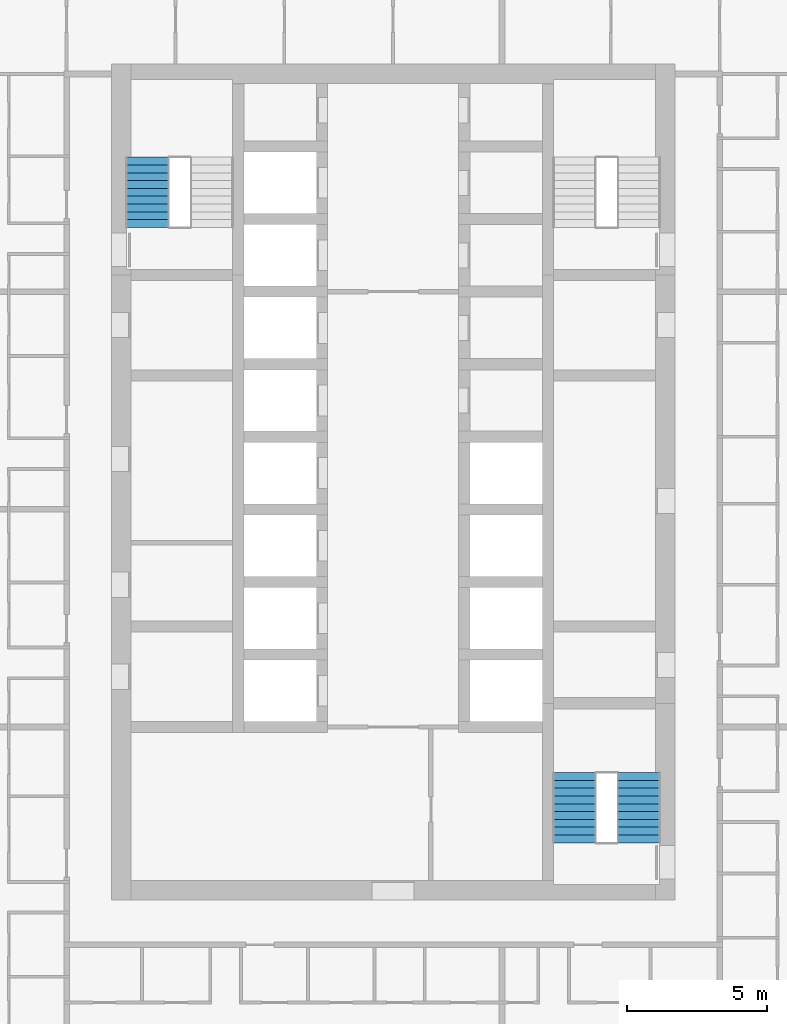
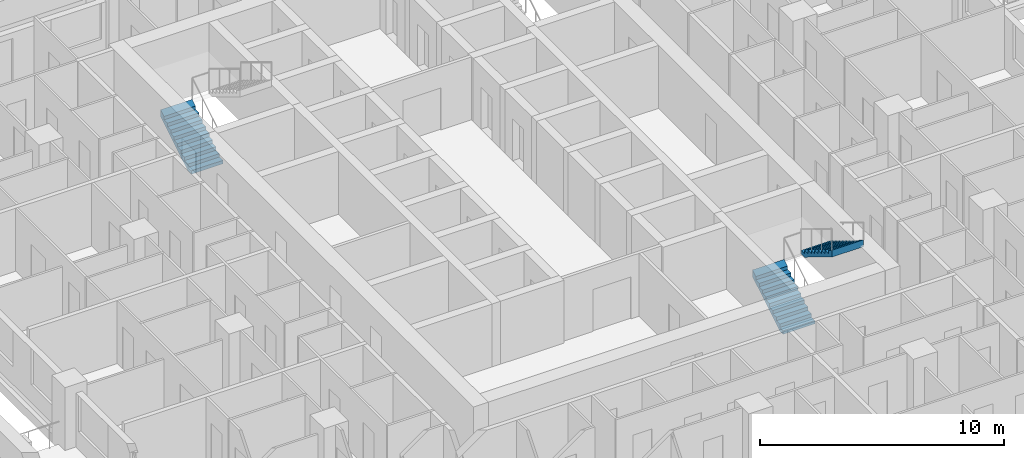
# One storey, part 14 of 17: 3 stair flights, 2 elements without a shape of their own.
"""IFC4 building model written with IfcOpenShell, lengths in metres."""

from ifc_helpers import new_model, si_unit, direction, frame, origin, place, context, subcontext, project, spatial, triangles, material, type_object, element, aggregate, save


model = new_model("IFC4")

# Units and contexts
model_context = context("Model", 3, precision=1e-05, world=origin(), true_north=direction((0.0, 1.0)))
body_context = subcontext(model_context, "Body", "Model", "MODEL_VIEW")
ifc_project = project(units=[si_unit("LENGTHUNIT", "METRE"), si_unit("AREAUNIT", "SQUARE_METRE"), si_unit("VOLUMEUNIT", "CUBIC_METRE"), si_unit("PLANEANGLEUNIT", "RADIAN"), si_unit("MASSUNIT", "GRAM", prefix="KILO")], contexts=[model_context])

# Site, building, storey
site_placement = place(None, origin())
site = spatial("IfcSite", under=ifc_project, at=site_placement, CompositionType="ELEMENT")
building_placement = place(site_placement, origin())
building = spatial("IfcBuilding", under=site, at=building_placement, Name="Ludao Terraces", CompositionType="ELEMENT")
storey_placement = place(building_placement, frame((0.0, 0.0, 22.89990234375)))
storey = spatial("IfcBuildingStorey", under=building, at=storey_placement, Name="L05", CompositionType="ELEMENT", Elevation=22.89990234375)

# Stair, stair flight
ifc_material = material(Name="Concrete C40", Category="concrete")
stair_type = type_object("IfcStairType", Name="INT Stair", PredefinedType="HALF_TURN_STAIR", material=ifc_material)
stair_1_placement = place(storey_placement, origin())
stair_1 = element("IfcStair", 1, at=stair_1_placement, inside=storey, type_object=stair_type, Name="EXIT STAIR 1", PredefinedType="HALF_TURN_STAIR")
stair_flight_type = type_object("IfcStairFlightType", Name="INT Stair flight", PredefinedType="STRAIGHT", material=ifc_material)
stair_flight_1_placement = place(storey_placement, frame((76.199951171875, 79.0, 0.0), z_axis=(0.0, 0.0, 1.0), x_axis=(0.0, 1.0, 0.0)))
stair_flight_1 = element("IfcStairFlight", 2, at=stair_flight_1_placement, type_object=stair_flight_type, Name="ST1 flight 1", NumberOfRisers=10, NumberOfTreads=9, PredefinedType="STRAIGHT", RiserHeight=0.17, TreadLength=0.28, context=body_context, shape_type="Tessellation", body=[
    triangles([(0.0, -0.75, 0.0), (0.0, -0.5, 0.0), (0.0, -0.25, 0.0), (0.0, 0.0, 0.0), (0.0, 0.25, 0.0), (0.0, 0.5, 0.0), (0.0, 0.75, 0.0), (0.0, -0.75, 0.169921875), (0.0, -0.5, 0.169921875), (0.0, -0.25, 0.169921875), (0.0, 0.0, 0.169921875), (0.0, 0.25, 0.169921875), (0.0, 0.5, 0.169921875), (0.0, 0.75, 0.169921875), (0.280029296875, -0.75, 0.169921875), (0.280029296875, -0.5, 0.169921875), (0.280029296875, -0.25, 0.169921875), (0.280029296875, 0.0, 0.169921875), (0.280029296875, 0.25, 0.169921875), (0.280029296875, 0.5, 0.169921875), (0.280029296875, 0.75, 0.169921875), (0.280029296875, -0.75, 0.340087890625), (0.280029296875, -0.5, 0.340087890625), (0.280029296875, -0.25, 0.340087890625), (0.280029296875, 0.0, 0.340087890625), (0.280029296875, 0.25, 0.340087890625), (0.280029296875, 0.5, 0.340087890625), (0.280029296875, 0.75, 0.340087890625), (0.56005859375, -0.75, 0.340087890625), (0.56005859375, -0.5, 0.340087890625), (0.56005859375, -0.25, 0.340087890625), (0.56005859375, 0.0, 0.340087890625), (0.56005859375, 0.25, 0.340087890625), (0.56005859375, 0.5, 0.340087890625), (0.56005859375, 0.75, 0.340087890625), (0.56005859375, -0.75, 0.510009765625), (0.56005859375, -0.5, 0.510009765625), (0.56005859375, -0.25, 0.510009765625), (0.56005859375, 0.0, 0.510009765625), (0.56005859375, 0.25, 0.510009765625), (0.56005859375, 0.5, 0.510009765625), (0.56005859375, 0.75, 0.510009765625), (0.840087890625, -0.75, 0.510009765625), (0.840087890625, -0.5, 0.510009765625), (0.840087890625, -0.25, 0.510009765625), (0.840087890625, 0.0, 0.510009765625), (0.840087890625, 0.25, 0.510009765625), (0.840087890625, 0.5, 0.510009765625), (0.840087890625, 0.75, 0.510009765625), (0.840087890625, -0.75, 0.679931640625), (0.840087890625, -0.5, 0.679931640625), (0.840087890625, -0.25, 0.679931640625), (0.840087890625, 0.0, 0.679931640625), (0.840087890625, 0.25, 0.679931640625), (0.840087890625, 0.5, 0.679931640625), (0.840087890625, 0.75, 0.679931640625), (1.1201171875, -0.75, 0.679931640625), (1.1201171875, -0.5, 0.679931640625), (1.1201171875, -0.25, 0.679931640625), (1.1201171875, 0.0, 0.679931640625), (1.1201171875, 0.25, 0.679931640625), (1.1201171875, 0.5, 0.679931640625), (1.1201171875, 0.75, 0.679931640625), (1.1201171875, -0.75, 0.85009765625), (1.1201171875, -0.5, 0.85009765625), (1.1201171875, -0.25, 0.85009765625), (1.1201171875, 0.0, 0.85009765625), (1.1201171875, 0.25, 0.85009765625), (1.1201171875, 0.5, 0.85009765625), (1.1201171875, 0.75, 0.85009765625), (1.39990234375, -0.75, 0.85009765625), (1.39990234375, -0.5, 0.85009765625), (1.39990234375, -0.25, 0.85009765625), (1.39990234375, 0.0, 0.85009765625), (1.39990234375, 0.25, 0.85009765625), (1.39990234375, 0.5, 0.85009765625), (1.39990234375, 0.75, 0.85009765625), (1.39990234375, -0.75, 1.02001953125), (1.39990234375, -0.5, 1.02001953125), (1.39990234375, -0.25, 1.02001953125), (1.39990234375, 0.0, 1.02001953125), (1.39990234375, 0.25, 1.02001953125), (1.39990234375, 0.5, 1.02001953125), (1.39990234375, 0.75, 1.02001953125), (1.679931640625, -0.75, 1.02001953125), (1.679931640625, -0.5, 1.02001953125), (1.679931640625, -0.25, 1.02001953125), (1.679931640625, 0.0, 1.02001953125), (1.679931640625, 0.25, 1.02001953125), (1.679931640625, 0.5, 1.02001953125), (1.679931640625, 0.75, 1.02001953125), (1.679931640625, -0.75, 1.18994140625), (1.679931640625, -0.5, 1.18994140625), (1.679931640625, -0.25, 1.18994140625), (1.679931640625, 0.0, 1.18994140625), (1.679931640625, 0.25, 1.18994140625), (1.679931640625, 0.5, 1.18994140625), (1.679931640625, 0.75, 1.18994140625), (1.9599609375, -0.75, 1.18994140625), (1.9599609375, -0.5, 1.18994140625), (1.9599609375, -0.25, 1.18994140625), (1.9599609375, 0.0, 1.18994140625), (1.9599609375, 0.25, 1.18994140625), (1.9599609375, 0.5, 1.18994140625), (1.9599609375, 0.75, 1.18994140625), (1.9599609375, -0.75, 1.360107421875), (1.9599609375, -0.5, 1.360107421875), (1.9599609375, -0.25, 1.360107421875), (1.9599609375, 0.0, 1.360107421875), (1.9599609375, 0.25, 1.360107421875), (1.9599609375, 0.5, 1.360107421875), (1.9599609375, 0.75, 1.360107421875), (2.239990234375, -0.75, 1.360107421875), (2.239990234375, -0.5, 1.360107421875), (2.239990234375, -0.25, 1.360107421875), (2.239990234375, 0.0, 1.360107421875), (2.239990234375, 0.25, 1.360107421875), (2.239990234375, 0.5, 1.360107421875), (2.239990234375, 0.75, 1.360107421875), (2.239990234375, -0.75, 1.530029296875), (2.239990234375, -0.5, 1.530029296875), (2.239990234375, -0.25, 1.530029296875), (2.239990234375, 0.0, 1.530029296875), (2.239990234375, 0.25, 1.530029296875), (2.239990234375, 0.5, 1.530029296875), (2.239990234375, 0.75, 1.530029296875), (2.52001953125, -0.75, 1.699951171875), (2.52001953125, -0.5, 1.699951171875), (2.52001953125, -0.25, 1.699951171875), (2.52001953125, 0.0, 1.699951171875), (2.52001953125, 0.25, 1.699951171875), (2.52001953125, 0.5, 1.699951171875), (2.52001953125, 0.75, 1.699951171875), (2.52001953125, -0.75, 1.354736328125), (2.52001953125, -0.5, 1.354736328125), (2.52001953125, -0.25, 1.354736328125), (2.52001953125, 0.0, 1.354736328125), (2.52001953125, 0.25, 1.354736328125), (2.52001953125, 0.5, 1.354736328125), (2.52001953125, 0.75, 1.354736328125), (0.288818359375, -0.75, 0.0), (0.288818359375, -0.5, 0.0), (0.288818359375, -0.25, 0.0), (0.288818359375, 0.0, 0.0), (0.288818359375, 0.25, 0.0), (0.288818359375, 0.5, 0.0), (0.288818359375, 0.75, 0.0)], [[1, 141, 134], [7, 140, 147], [134, 127, 120], [140, 126, 133], [134, 120, 113], [140, 119, 126], [134, 113, 106], [140, 112, 119], [134, 106, 99], [140, 105, 112], [99, 92, 85], [105, 91, 98], [134, 99, 85], [140, 91, 105], [85, 78, 71], [91, 77, 84], [134, 85, 71], [140, 77, 91], [71, 64, 57], [77, 63, 70], [134, 71, 57], [140, 63, 77], [57, 50, 43], [63, 49, 56], [134, 57, 43], [140, 49, 63], [43, 36, 29], [49, 35, 42], [134, 43, 29], [140, 35, 49], [29, 22, 15], [35, 21, 28], [134, 29, 15], [140, 21, 35], [1, 134, 15], [7, 21, 140], [15, 8, 1], [21, 7, 14], [1, 9, 2], [1, 8, 9], [2, 10, 3], [2, 9, 10], [3, 11, 4], [3, 10, 11], [4, 12, 5], [4, 11, 12], [5, 13, 6], [5, 12, 13], [6, 14, 7], [6, 13, 14], [8, 16, 9], [8, 15, 16], [9, 17, 10], [9, 16, 17], [10, 18, 11], [10, 17, 18], [11, 19, 12], [11, 18, 19], [12, 20, 13], [12, 19, 20], [13, 21, 14], [13, 20, 21], [15, 23, 16], [15, 22, 23], [16, 24, 17], [16, 23, 24], [17, 25, 18], [17, 24, 25], [18, 26, 19], [18, 25, 26], [19, 27, 20], [19, 26, 27], [20, 28, 21], [20, 27, 28], [22, 30, 23], [22, 29, 30], [23, 31, 24], [23, 30, 31], [24, 32, 25], [24, 31, 32], [25, 33, 26], [25, 32, 33], [26, 34, 27], [26, 33, 34], [27, 35, 28], [27, 34, 35], [29, 37, 30], [29, 36, 37], [30, 38, 31], [30, 37, 38], [31, 39, 32], [31, 38, 39], [32, 40, 33], [32, 39, 40], [33, 41, 34], [33, 40, 41], [34, 42, 35], [34, 41, 42], [36, 44, 37], [36, 43, 44], [37, 45, 38], [37, 44, 45], [38, 46, 39], [38, 45, 46], [39, 47, 40], [39, 46, 47], [40, 48, 41], [40, 47, 48], [41, 49, 42], [41, 48, 49], [43, 51, 44], [43, 50, 51], [44, 52, 45], [44, 51, 52], [45, 53, 46], [45, 52, 53], [46, 54, 47], [46, 53, 54], [47, 55, 48], [47, 54, 55], [48, 56, 49], [48, 55, 56], [50, 58, 51], [50, 57, 58], [51, 59, 52], [51, 58, 59], [52, 60, 53], [52, 59, 60], [53, 61, 54], [53, 60, 61], [54, 62, 55], [54, 61, 62], [55, 63, 56], [55, 62, 63], [57, 65, 58], [57, 64, 65], [58, 66, 59], [58, 65, 66], [59, 67, 60], [59, 66, 67], [60, 68, 61], [60, 67, 68], [61, 69, 62], [61, 68, 69], [62, 70, 63], [62, 69, 70], [64, 72, 65], [64, 71, 72], [65, 73, 66], [65, 72, 73], [66, 74, 67], [66, 73, 74], [67, 75, 68], [67, 74, 75], [68, 76, 69], [68, 75, 76], [69, 77, 70], [69, 76, 77], [71, 79, 72], [71, 78, 79], [72, 80, 73], [72, 79, 80], [73, 81, 74], [73, 80, 81], [74, 82, 75], [74, 81, 82], [75, 83, 76], [75, 82, 83], [76, 84, 77], [76, 83, 84], [78, 86, 79], [78, 85, 86], [79, 87, 80], [79, 86, 87], [80, 88, 81], [80, 87, 88], [81, 89, 82], [81, 88, 89], [82, 90, 83], [82, 89, 90], [83, 91, 84], [83, 90, 91], [85, 93, 86], [85, 92, 93], [86, 94, 87], [86, 93, 94], [87, 95, 88], [87, 94, 95], [88, 96, 89], [88, 95, 96], [89, 97, 90], [89, 96, 97], [90, 98, 91], [90, 97, 98], [92, 100, 93], [92, 99, 100], [93, 101, 94], [93, 100, 101], [94, 102, 95], [94, 101, 102], [95, 103, 96], [95, 102, 103], [96, 104, 97], [96, 103, 104], [97, 105, 98], [97, 104, 105], [99, 107, 100], [99, 106, 107], [100, 108, 101], [100, 107, 108], [101, 109, 102], [101, 108, 109], [102, 110, 103], [102, 109, 110], [103, 111, 104], [103, 110, 111], [104, 112, 105], [104, 111, 112], [106, 114, 107], [106, 113, 114], [107, 115, 108], [107, 114, 115], [108, 116, 109], [108, 115, 116], [109, 117, 110], [109, 116, 117], [110, 118, 111], [110, 117, 118], [111, 119, 112], [111, 118, 119], [113, 121, 114], [113, 120, 121], [114, 122, 115], [114, 121, 122], [115, 123, 116], [115, 122, 123], [116, 124, 117], [116, 123, 124], [117, 125, 118], [117, 124, 125], [118, 126, 119], [118, 125, 126], [120, 128, 121], [120, 127, 128], [121, 129, 122], [121, 128, 129], [122, 130, 123], [122, 129, 130], [123, 131, 124], [123, 130, 131], [124, 132, 125], [124, 131, 132], [125, 133, 126], [125, 132, 133], [127, 135, 128], [127, 134, 135], [128, 136, 129], [128, 135, 136], [129, 137, 130], [129, 136, 137], [130, 138, 131], [130, 137, 138], [131, 139, 132], [131, 138, 139], [132, 140, 133], [132, 139, 140], [134, 142, 135], [134, 141, 142], [135, 143, 136], [135, 142, 143], [136, 144, 137], [136, 143, 144], [137, 145, 138], [137, 144, 145], [138, 146, 139], [138, 145, 146], [139, 147, 140], [139, 146, 147], [141, 2, 142], [141, 1, 2], [142, 3, 143], [142, 2, 3], [143, 4, 144], [143, 3, 4], [144, 5, 145], [144, 4, 5], [145, 6, 146], [145, 5, 6], [146, 7, 147], [146, 6, 7]], closed=True),
])
aggregate(stair_1, [stair_flight_1])

# Stair, stair flights
stair_2_placement = place(storey_placement, origin())
stair_2 = element("IfcStair", 3, at=stair_2_placement, inside=storey, type_object=stair_type, Name="EXIT STAIR 3", PredefinedType="HALF_TURN_STAIR")
stair_flight_2_placement = place(storey_placement, frame((91.5, 56.949951171875, 0.0), z_axis=(0.0, 0.0, 1.0), x_axis=(0.0, 1.0, 0.0)))
stair_flight_2 = element("IfcStairFlight", 4, at=stair_flight_2_placement, type_object=stair_flight_type, Name="ST3 flight 1", NumberOfRisers=10, NumberOfTreads=9, PredefinedType="STRAIGHT", RiserHeight=0.17, TreadLength=0.28, context=body_context, shape_type="Tessellation", body=[
    triangles([(0.0, -0.75, 0.0), (0.0, -0.5, 0.0), (0.0, -0.25, 0.0), (0.0, 0.0, 0.0), (0.0, 0.25, 0.0), (0.0, 0.5, 0.0), (0.0, 0.75, 0.0), (0.0, -0.75, 0.169921875), (0.0, -0.5, 0.169921875), (0.0, -0.25, 0.169921875), (0.0, 0.0, 0.169921875), (0.0, 0.25, 0.169921875), (0.0, 0.5, 0.169921875), (0.0, 0.75, 0.169921875), (0.280029296875, -0.75, 0.169921875), (0.280029296875, -0.5, 0.169921875), (0.280029296875, -0.25, 0.169921875), (0.280029296875, 0.0, 0.169921875), (0.280029296875, 0.25, 0.169921875), (0.280029296875, 0.5, 0.169921875), (0.280029296875, 0.75, 0.169921875), (0.280029296875, -0.75, 0.340087890625), (0.280029296875, -0.5, 0.340087890625), (0.280029296875, -0.25, 0.340087890625), (0.280029296875, 0.0, 0.340087890625), (0.280029296875, 0.25, 0.340087890625), (0.280029296875, 0.5, 0.340087890625), (0.280029296875, 0.75, 0.340087890625), (0.56005859375, -0.75, 0.340087890625), (0.56005859375, -0.5, 0.340087890625), (0.56005859375, -0.25, 0.340087890625), (0.56005859375, 0.0, 0.340087890625), (0.56005859375, 0.25, 0.340087890625), (0.56005859375, 0.5, 0.340087890625), (0.56005859375, 0.75, 0.340087890625), (0.56005859375, -0.75, 0.510009765625), (0.56005859375, -0.5, 0.510009765625), (0.56005859375, -0.25, 0.510009765625), (0.56005859375, 0.0, 0.510009765625), (0.56005859375, 0.25, 0.510009765625), (0.56005859375, 0.5, 0.510009765625), (0.56005859375, 0.75, 0.510009765625), (0.840087890625, -0.75, 0.510009765625), (0.840087890625, -0.5, 0.510009765625), (0.840087890625, -0.25, 0.510009765625), (0.840087890625, 0.0, 0.510009765625), (0.840087890625, 0.25, 0.510009765625), (0.840087890625, 0.5, 0.510009765625), (0.840087890625, 0.75, 0.510009765625), (0.840087890625, -0.75, 0.679931640625), (0.840087890625, -0.5, 0.679931640625), (0.840087890625, -0.25, 0.679931640625), (0.840087890625, 0.0, 0.679931640625), (0.840087890625, 0.25, 0.679931640625), (0.840087890625, 0.5, 0.679931640625), (0.840087890625, 0.75, 0.679931640625), (1.1201171875, -0.75, 0.679931640625), (1.1201171875, -0.5, 0.679931640625), (1.1201171875, -0.25, 0.679931640625), (1.1201171875, 0.0, 0.679931640625), (1.1201171875, 0.25, 0.679931640625), (1.1201171875, 0.5, 0.679931640625), (1.1201171875, 0.75, 0.679931640625), (1.1201171875, -0.75, 0.85009765625), (1.1201171875, -0.5, 0.85009765625), (1.1201171875, -0.25, 0.85009765625), (1.1201171875, 0.0, 0.85009765625), (1.1201171875, 0.25, 0.85009765625), (1.1201171875, 0.5, 0.85009765625), (1.1201171875, 0.75, 0.85009765625), (1.39990234375, -0.75, 0.85009765625), (1.39990234375, -0.5, 0.85009765625), (1.39990234375, -0.25, 0.85009765625), (1.39990234375, 0.0, 0.85009765625), (1.39990234375, 0.25, 0.85009765625), (1.39990234375, 0.5, 0.85009765625), (1.39990234375, 0.75, 0.85009765625), (1.39990234375, -0.75, 1.02001953125), (1.39990234375, -0.5, 1.02001953125), (1.39990234375, -0.25, 1.02001953125), (1.39990234375, 0.0, 1.02001953125), (1.39990234375, 0.25, 1.02001953125), (1.39990234375, 0.5, 1.02001953125), (1.39990234375, 0.75, 1.02001953125), (1.679931640625, -0.75, 1.02001953125), (1.679931640625, -0.5, 1.02001953125), (1.679931640625, -0.25, 1.02001953125), (1.679931640625, 0.0, 1.02001953125), (1.679931640625, 0.25, 1.02001953125), (1.679931640625, 0.5, 1.02001953125), (1.679931640625, 0.75, 1.02001953125), (1.679931640625, -0.75, 1.18994140625), (1.679931640625, -0.5, 1.18994140625), (1.679931640625, -0.25, 1.18994140625), (1.679931640625, 0.0, 1.18994140625), (1.679931640625, 0.25, 1.18994140625), (1.679931640625, 0.5, 1.18994140625), (1.679931640625, 0.75, 1.18994140625), (1.9599609375, -0.75, 1.18994140625), (1.9599609375, -0.5, 1.18994140625), (1.9599609375, -0.25, 1.18994140625), (1.9599609375, 0.0, 1.18994140625), (1.9599609375, 0.25, 1.18994140625), (1.9599609375, 0.5, 1.18994140625), (1.9599609375, 0.75, 1.18994140625), (1.9599609375, -0.75, 1.360107421875), (1.9599609375, -0.5, 1.360107421875), (1.9599609375, -0.25, 1.360107421875), (1.9599609375, 0.0, 1.360107421875), (1.9599609375, 0.25, 1.360107421875), (1.9599609375, 0.5, 1.360107421875), (1.9599609375, 0.75, 1.360107421875), (2.239990234375, -0.75, 1.360107421875), (2.239990234375, -0.5, 1.360107421875), (2.239990234375, -0.25, 1.360107421875), (2.239990234375, 0.0, 1.360107421875), (2.239990234375, 0.25, 1.360107421875), (2.239990234375, 0.5, 1.360107421875), (2.239990234375, 0.75, 1.360107421875), (2.239990234375, -0.75, 1.530029296875), (2.239990234375, -0.5, 1.530029296875), (2.239990234375, -0.25, 1.530029296875), (2.239990234375, 0.0, 1.530029296875), (2.239990234375, 0.25, 1.530029296875), (2.239990234375, 0.5, 1.530029296875), (2.239990234375, 0.75, 1.530029296875), (2.52001953125, -0.75, 1.699951171875), (2.52001953125, -0.5, 1.699951171875), (2.52001953125, -0.25, 1.699951171875), (2.52001953125, 0.0, 1.699951171875), (2.52001953125, 0.25, 1.699951171875), (2.52001953125, 0.5, 1.699951171875), (2.52001953125, 0.75, 1.699951171875), (2.52001953125, -0.75, 1.354736328125), (2.52001953125, -0.5, 1.354736328125), (2.52001953125, -0.25, 1.354736328125), (2.52001953125, 0.0, 1.354736328125), (2.52001953125, 0.25, 1.354736328125), (2.52001953125, 0.5, 1.354736328125), (2.52001953125, 0.75, 1.354736328125), (0.288818359375, -0.75, 0.0), (0.288818359375, -0.5, 0.0), (0.288818359375, -0.25, 0.0), (0.288818359375, 0.0, 0.0), (0.288818359375, 0.25, 0.0), (0.288818359375, 0.5, 0.0), (0.288818359375, 0.75, 0.0)], [[1, 141, 134], [7, 140, 147], [134, 127, 120], [140, 126, 133], [134, 120, 113], [140, 119, 126], [134, 113, 106], [140, 112, 119], [134, 106, 99], [140, 105, 112], [99, 92, 85], [105, 91, 98], [134, 99, 85], [140, 91, 105], [85, 78, 71], [91, 77, 84], [134, 85, 71], [140, 77, 91], [71, 64, 57], [77, 63, 70], [134, 71, 57], [140, 63, 77], [57, 50, 43], [63, 49, 56], [134, 57, 43], [140, 49, 63], [43, 36, 29], [49, 35, 42], [134, 43, 29], [140, 35, 49], [29, 22, 15], [35, 21, 28], [134, 29, 15], [140, 21, 35], [1, 134, 15], [7, 21, 140], [15, 8, 1], [21, 7, 14], [1, 9, 2], [1, 8, 9], [2, 10, 3], [2, 9, 10], [3, 11, 4], [3, 10, 11], [4, 12, 5], [4, 11, 12], [5, 13, 6], [5, 12, 13], [6, 14, 7], [6, 13, 14], [8, 16, 9], [8, 15, 16], [9, 17, 10], [9, 16, 17], [10, 18, 11], [10, 17, 18], [11, 19, 12], [11, 18, 19], [12, 20, 13], [12, 19, 20], [13, 21, 14], [13, 20, 21], [15, 23, 16], [15, 22, 23], [16, 24, 17], [16, 23, 24], [17, 25, 18], [17, 24, 25], [18, 26, 19], [18, 25, 26], [19, 27, 20], [19, 26, 27], [20, 28, 21], [20, 27, 28], [22, 30, 23], [22, 29, 30], [23, 31, 24], [23, 30, 31], [24, 32, 25], [24, 31, 32], [25, 33, 26], [25, 32, 33], [26, 34, 27], [26, 33, 34], [27, 35, 28], [27, 34, 35], [29, 37, 30], [29, 36, 37], [30, 38, 31], [30, 37, 38], [31, 39, 32], [31, 38, 39], [32, 40, 33], [32, 39, 40], [33, 41, 34], [33, 40, 41], [34, 42, 35], [34, 41, 42], [36, 44, 37], [36, 43, 44], [37, 45, 38], [37, 44, 45], [38, 46, 39], [38, 45, 46], [39, 47, 40], [39, 46, 47], [40, 48, 41], [40, 47, 48], [41, 49, 42], [41, 48, 49], [43, 51, 44], [43, 50, 51], [44, 52, 45], [44, 51, 52], [45, 53, 46], [45, 52, 53], [46, 54, 47], [46, 53, 54], [47, 55, 48], [47, 54, 55], [48, 56, 49], [48, 55, 56], [50, 58, 51], [50, 57, 58], [51, 59, 52], [51, 58, 59], [52, 60, 53], [52, 59, 60], [53, 61, 54], [53, 60, 61], [54, 62, 55], [54, 61, 62], [55, 63, 56], [55, 62, 63], [57, 65, 58], [57, 64, 65], [58, 66, 59], [58, 65, 66], [59, 67, 60], [59, 66, 67], [60, 68, 61], [60, 67, 68], [61, 69, 62], [61, 68, 69], [62, 70, 63], [62, 69, 70], [64, 72, 65], [64, 71, 72], [65, 73, 66], [65, 72, 73], [66, 74, 67], [66, 73, 74], [67, 75, 68], [67, 74, 75], [68, 76, 69], [68, 75, 76], [69, 77, 70], [69, 76, 77], [71, 79, 72], [71, 78, 79], [72, 80, 73], [72, 79, 80], [73, 81, 74], [73, 80, 81], [74, 82, 75], [74, 81, 82], [75, 83, 76], [75, 82, 83], [76, 84, 77], [76, 83, 84], [78, 86, 79], [78, 85, 86], [79, 87, 80], [79, 86, 87], [80, 88, 81], [80, 87, 88], [81, 89, 82], [81, 88, 89], [82, 90, 83], [82, 89, 90], [83, 91, 84], [83, 90, 91], [85, 93, 86], [85, 92, 93], [86, 94, 87], [86, 93, 94], [87, 95, 88], [87, 94, 95], [88, 96, 89], [88, 95, 96], [89, 97, 90], [89, 96, 97], [90, 98, 91], [90, 97, 98], [92, 100, 93], [92, 99, 100], [93, 101, 94], [93, 100, 101], [94, 102, 95], [94, 101, 102], [95, 103, 96], [95, 102, 103], [96, 104, 97], [96, 103, 104], [97, 105, 98], [97, 104, 105], [99, 107, 100], [99, 106, 107], [100, 108, 101], [100, 107, 108], [101, 109, 102], [101, 108, 109], [102, 110, 103], [102, 109, 110], [103, 111, 104], [103, 110, 111], [104, 112, 105], [104, 111, 112], [106, 114, 107], [106, 113, 114], [107, 115, 108], [107, 114, 115], [108, 116, 109], [108, 115, 116], [109, 117, 110], [109, 116, 117], [110, 118, 111], [110, 117, 118], [111, 119, 112], [111, 118, 119], [113, 121, 114], [113, 120, 121], [114, 122, 115], [114, 121, 122], [115, 123, 116], [115, 122, 123], [116, 124, 117], [116, 123, 124], [117, 125, 118], [117, 124, 125], [118, 126, 119], [118, 125, 126], [120, 128, 121], [120, 127, 128], [121, 129, 122], [121, 128, 129], [122, 130, 123], [122, 129, 130], [123, 131, 124], [123, 130, 131], [124, 132, 125], [124, 131, 132], [125, 133, 126], [125, 132, 133], [127, 135, 128], [127, 134, 135], [128, 136, 129], [128, 135, 136], [129, 137, 130], [129, 136, 137], [130, 138, 131], [130, 137, 138], [131, 139, 132], [131, 138, 139], [132, 140, 133], [132, 139, 140], [134, 142, 135], [134, 141, 142], [135, 143, 136], [135, 142, 143], [136, 144, 137], [136, 143, 144], [137, 145, 138], [137, 144, 145], [138, 146, 139], [138, 145, 146], [139, 147, 140], [139, 146, 147], [141, 2, 142], [141, 1, 2], [142, 3, 143], [142, 2, 3], [143, 4, 144], [143, 3, 4], [144, 5, 145], [144, 4, 5], [145, 6, 146], [145, 5, 6], [146, 7, 147], [146, 6, 7]], closed=True),
])
stair_flight_3_placement = place(storey_placement, frame((93.800048828125, 59.469970703125, 1.7001953125), z_axis=(0.0, 0.0, 1.0), x_axis=(0.0, -1.0, 0.0)))
stair_flight_3 = element("IfcStairFlight", 5, at=stair_flight_3_placement, type_object=stair_flight_type, Name="ST3 flight 2", NumberOfRisers=10, NumberOfTreads=9, PredefinedType="STRAIGHT", RiserHeight=0.17, TreadLength=0.28, context=body_context, shape_type="Tessellation", body=[
    triangles([(0.0, -0.75, 0.0), (0.0, -0.5, 0.0), (0.0, -0.25, 0.0), (0.0, 0.0, 0.0), (0.0, 0.25, 0.0), (0.0, 0.5, 0.0), (0.0, 0.75, 0.0), (0.0, -0.75, 0.169921875), (0.0, -0.5, 0.169921875), (0.0, -0.25, 0.169921875), (0.0, 0.0, 0.169921875), (0.0, 0.25, 0.169921875), (0.0, 0.5, 0.169921875), (0.0, 0.75, 0.169921875), (0.280029296875, -0.75, 0.169921875), (0.280029296875, -0.5, 0.169921875), (0.280029296875, -0.25, 0.169921875), (0.280029296875, 0.0, 0.169921875), (0.280029296875, 0.25, 0.169921875), (0.280029296875, 0.5, 0.169921875), (0.280029296875, 0.75, 0.169921875), (0.280029296875, -0.75, 0.340087890625), (0.280029296875, -0.5, 0.340087890625), (0.280029296875, -0.25, 0.340087890625), (0.280029296875, 0.0, 0.340087890625), (0.280029296875, 0.25, 0.340087890625), (0.280029296875, 0.5, 0.340087890625), (0.280029296875, 0.75, 0.340087890625), (0.56005859375, -0.75, 0.340087890625), (0.56005859375, -0.5, 0.340087890625), (0.56005859375, -0.25, 0.340087890625), (0.56005859375, 0.0, 0.340087890625), (0.56005859375, 0.25, 0.340087890625), (0.56005859375, 0.5, 0.340087890625), (0.56005859375, 0.75, 0.340087890625), (0.56005859375, -0.75, 0.510009765625), (0.56005859375, -0.5, 0.510009765625), (0.56005859375, -0.25, 0.510009765625), (0.56005859375, 0.0, 0.510009765625), (0.56005859375, 0.25, 0.510009765625), (0.56005859375, 0.5, 0.510009765625), (0.56005859375, 0.75, 0.510009765625), (0.840087890625, -0.75, 0.510009765625), (0.840087890625, -0.5, 0.510009765625), (0.840087890625, -0.25, 0.510009765625), (0.840087890625, 0.0, 0.510009765625), (0.840087890625, 0.25, 0.510009765625), (0.840087890625, 0.5, 0.510009765625), (0.840087890625, 0.75, 0.510009765625), (0.840087890625, -0.75, 0.679931640625), (0.840087890625, -0.5, 0.679931640625), (0.840087890625, -0.25, 0.679931640625), (0.840087890625, 0.0, 0.679931640625), (0.840087890625, 0.25, 0.679931640625), (0.840087890625, 0.5, 0.679931640625), (0.840087890625, 0.75, 0.679931640625), (1.1201171875, -0.75, 0.679931640625), (1.1201171875, -0.5, 0.679931640625), (1.1201171875, -0.25, 0.679931640625), (1.1201171875, 0.0, 0.679931640625), (1.1201171875, 0.25, 0.679931640625), (1.1201171875, 0.5, 0.679931640625), (1.1201171875, 0.75, 0.679931640625), (1.1201171875, -0.75, 0.85009765625), (1.1201171875, -0.5, 0.85009765625), (1.1201171875, -0.25, 0.85009765625), (1.1201171875, 0.0, 0.85009765625), (1.1201171875, 0.25, 0.85009765625), (1.1201171875, 0.5, 0.85009765625), (1.1201171875, 0.75, 0.85009765625), (1.39990234375, -0.75, 0.85009765625), (1.39990234375, -0.5, 0.85009765625), (1.39990234375, -0.25, 0.85009765625), (1.39990234375, 0.0, 0.85009765625), (1.39990234375, 0.25, 0.85009765625), (1.39990234375, 0.5, 0.85009765625), (1.39990234375, 0.75, 0.85009765625), (1.39990234375, -0.75, 1.02001953125), (1.39990234375, -0.5, 1.02001953125), (1.39990234375, -0.25, 1.02001953125), (1.39990234375, 0.0, 1.02001953125), (1.39990234375, 0.25, 1.02001953125), (1.39990234375, 0.5, 1.02001953125), (1.39990234375, 0.75, 1.02001953125), (1.679931640625, -0.75, 1.02001953125), (1.679931640625, -0.5, 1.02001953125), (1.679931640625, -0.25, 1.02001953125), (1.679931640625, 0.0, 1.02001953125), (1.679931640625, 0.25, 1.02001953125), (1.679931640625, 0.5, 1.02001953125), (1.679931640625, 0.75, 1.02001953125), (1.679931640625, -0.75, 1.18994140625), (1.679931640625, -0.5, 1.18994140625), (1.679931640625, -0.25, 1.18994140625), (1.679931640625, 0.0, 1.18994140625), (1.679931640625, 0.25, 1.18994140625), (1.679931640625, 0.5, 1.18994140625), (1.679931640625, 0.75, 1.18994140625), (1.9599609375, -0.75, 1.18994140625), (1.9599609375, -0.5, 1.18994140625), (1.9599609375, -0.25, 1.18994140625), (1.9599609375, 0.0, 1.18994140625), (1.9599609375, 0.25, 1.18994140625), (1.9599609375, 0.5, 1.18994140625), (1.9599609375, 0.75, 1.18994140625), (1.9599609375, -0.75, 1.360107421875), (1.9599609375, -0.5, 1.360107421875), (1.9599609375, -0.25, 1.360107421875), (1.9599609375, 0.0, 1.360107421875), (1.9599609375, 0.25, 1.360107421875), (1.9599609375, 0.5, 1.360107421875), (1.9599609375, 0.75, 1.360107421875), (2.239990234375, -0.75, 1.360107421875), (2.239990234375, -0.5, 1.360107421875), (2.239990234375, -0.25, 1.360107421875), (2.239990234375, 0.0, 1.360107421875), (2.239990234375, 0.25, 1.360107421875), (2.239990234375, 0.5, 1.360107421875), (2.239990234375, 0.75, 1.360107421875), (2.239990234375, -0.75, 1.530029296875), (2.239990234375, -0.5, 1.530029296875), (2.239990234375, -0.25, 1.530029296875), (2.239990234375, 0.0, 1.530029296875), (2.239990234375, 0.25, 1.530029296875), (2.239990234375, 0.5, 1.530029296875), (2.239990234375, 0.75, 1.530029296875), (2.52001953125, -0.75, 1.699951171875), (2.52001953125, -0.5, 1.699951171875), (2.52001953125, -0.25, 1.699951171875), (2.52001953125, 0.0, 1.699951171875), (2.52001953125, 0.25, 1.699951171875), (2.52001953125, 0.5, 1.699951171875), (2.52001953125, 0.75, 1.699951171875), (2.52001953125, -0.75, 1.354736328125), (2.52001953125, -0.5, 1.354736328125), (2.52001953125, -0.25, 1.354736328125), (2.52001953125, 0.0, 1.354736328125), (2.52001953125, 0.25, 1.354736328125), (2.52001953125, 0.5, 1.354736328125), (2.52001953125, 0.75, 1.354736328125), (0.288818359375, -0.75, 0.0), (0.288818359375, -0.5, 0.0), (0.288818359375, -0.25, 0.0), (0.288818359375, 0.0, 0.0), (0.288818359375, 0.25, 0.0), (0.288818359375, 0.5, 0.0), (0.288818359375, 0.75, 0.0)], [[1, 141, 134], [7, 140, 147], [134, 127, 120], [140, 126, 133], [134, 120, 113], [140, 119, 126], [134, 113, 106], [140, 112, 119], [134, 106, 99], [140, 105, 112], [99, 92, 85], [105, 91, 98], [134, 99, 85], [140, 91, 105], [85, 78, 71], [91, 77, 84], [134, 85, 71], [140, 77, 91], [71, 64, 57], [77, 63, 70], [134, 71, 57], [140, 63, 77], [57, 50, 43], [63, 49, 56], [134, 57, 43], [140, 49, 63], [43, 36, 29], [49, 35, 42], [134, 43, 29], [140, 35, 49], [29, 22, 15], [35, 21, 28], [134, 29, 15], [140, 21, 35], [1, 134, 15], [7, 21, 140], [15, 8, 1], [21, 7, 14], [1, 9, 2], [1, 8, 9], [2, 10, 3], [2, 9, 10], [3, 11, 4], [3, 10, 11], [4, 12, 5], [4, 11, 12], [5, 13, 6], [5, 12, 13], [6, 14, 7], [6, 13, 14], [8, 16, 9], [8, 15, 16], [9, 17, 10], [9, 16, 17], [10, 18, 11], [10, 17, 18], [11, 19, 12], [11, 18, 19], [12, 20, 13], [12, 19, 20], [13, 21, 14], [13, 20, 21], [15, 23, 16], [15, 22, 23], [16, 24, 17], [16, 23, 24], [17, 25, 18], [17, 24, 25], [18, 26, 19], [18, 25, 26], [19, 27, 20], [19, 26, 27], [20, 28, 21], [20, 27, 28], [22, 30, 23], [22, 29, 30], [23, 31, 24], [23, 30, 31], [24, 32, 25], [24, 31, 32], [25, 33, 26], [25, 32, 33], [26, 34, 27], [26, 33, 34], [27, 35, 28], [27, 34, 35], [29, 37, 30], [29, 36, 37], [30, 38, 31], [30, 37, 38], [31, 39, 32], [31, 38, 39], [32, 40, 33], [32, 39, 40], [33, 41, 34], [33, 40, 41], [34, 42, 35], [34, 41, 42], [36, 44, 37], [36, 43, 44], [37, 45, 38], [37, 44, 45], [38, 46, 39], [38, 45, 46], [39, 47, 40], [39, 46, 47], [40, 48, 41], [40, 47, 48], [41, 49, 42], [41, 48, 49], [43, 51, 44], [43, 50, 51], [44, 52, 45], [44, 51, 52], [45, 53, 46], [45, 52, 53], [46, 54, 47], [46, 53, 54], [47, 55, 48], [47, 54, 55], [48, 56, 49], [48, 55, 56], [50, 58, 51], [50, 57, 58], [51, 59, 52], [51, 58, 59], [52, 60, 53], [52, 59, 60], [53, 61, 54], [53, 60, 61], [54, 62, 55], [54, 61, 62], [55, 63, 56], [55, 62, 63], [57, 65, 58], [57, 64, 65], [58, 66, 59], [58, 65, 66], [59, 67, 60], [59, 66, 67], [60, 68, 61], [60, 67, 68], [61, 69, 62], [61, 68, 69], [62, 70, 63], [62, 69, 70], [64, 72, 65], [64, 71, 72], [65, 73, 66], [65, 72, 73], [66, 74, 67], [66, 73, 74], [67, 75, 68], [67, 74, 75], [68, 76, 69], [68, 75, 76], [69, 77, 70], [69, 76, 77], [71, 79, 72], [71, 78, 79], [72, 80, 73], [72, 79, 80], [73, 81, 74], [73, 80, 81], [74, 82, 75], [74, 81, 82], [75, 83, 76], [75, 82, 83], [76, 84, 77], [76, 83, 84], [78, 86, 79], [78, 85, 86], [79, 87, 80], [79, 86, 87], [80, 88, 81], [80, 87, 88], [81, 89, 82], [81, 88, 89], [82, 90, 83], [82, 89, 90], [83, 91, 84], [83, 90, 91], [85, 93, 86], [85, 92, 93], [86, 94, 87], [86, 93, 94], [87, 95, 88], [87, 94, 95], [88, 96, 89], [88, 95, 96], [89, 97, 90], [89, 96, 97], [90, 98, 91], [90, 97, 98], [92, 100, 93], [92, 99, 100], [93, 101, 94], [93, 100, 101], [94, 102, 95], [94, 101, 102], [95, 103, 96], [95, 102, 103], [96, 104, 97], [96, 103, 104], [97, 105, 98], [97, 104, 105], [99, 107, 100], [99, 106, 107], [100, 108, 101], [100, 107, 108], [101, 109, 102], [101, 108, 109], [102, 110, 103], [102, 109, 110], [103, 111, 104], [103, 110, 111], [104, 112, 105], [104, 111, 112], [106, 114, 107], [106, 113, 114], [107, 115, 108], [107, 114, 115], [108, 116, 109], [108, 115, 116], [109, 117, 110], [109, 116, 117], [110, 118, 111], [110, 117, 118], [111, 119, 112], [111, 118, 119], [113, 121, 114], [113, 120, 121], [114, 122, 115], [114, 121, 122], [115, 123, 116], [115, 122, 123], [116, 124, 117], [116, 123, 124], [117, 125, 118], [117, 124, 125], [118, 126, 119], [118, 125, 126], [120, 128, 121], [120, 127, 128], [121, 129, 122], [121, 128, 129], [122, 130, 123], [122, 129, 130], [123, 131, 124], [123, 130, 131], [124, 132, 125], [124, 131, 132], [125, 133, 126], [125, 132, 133], [127, 135, 128], [127, 134, 135], [128, 136, 129], [128, 135, 136], [129, 137, 130], [129, 136, 137], [130, 138, 131], [130, 137, 138], [131, 139, 132], [131, 138, 139], [132, 140, 133], [132, 139, 140], [134, 142, 135], [134, 141, 142], [135, 143, 136], [135, 142, 143], [136, 144, 137], [136, 143, 144], [137, 145, 138], [137, 144, 145], [138, 146, 139], [138, 145, 146], [139, 147, 140], [139, 146, 147], [141, 2, 142], [141, 1, 2], [142, 3, 143], [142, 2, 3], [143, 4, 144], [143, 3, 4], [144, 5, 145], [144, 4, 5], [145, 6, 146], [145, 5, 6], [146, 7, 147], [146, 6, 7]], closed=True),
])
aggregate(stair_2, [stair_flight_2, stair_flight_3])

save(model, "model.ifc")
